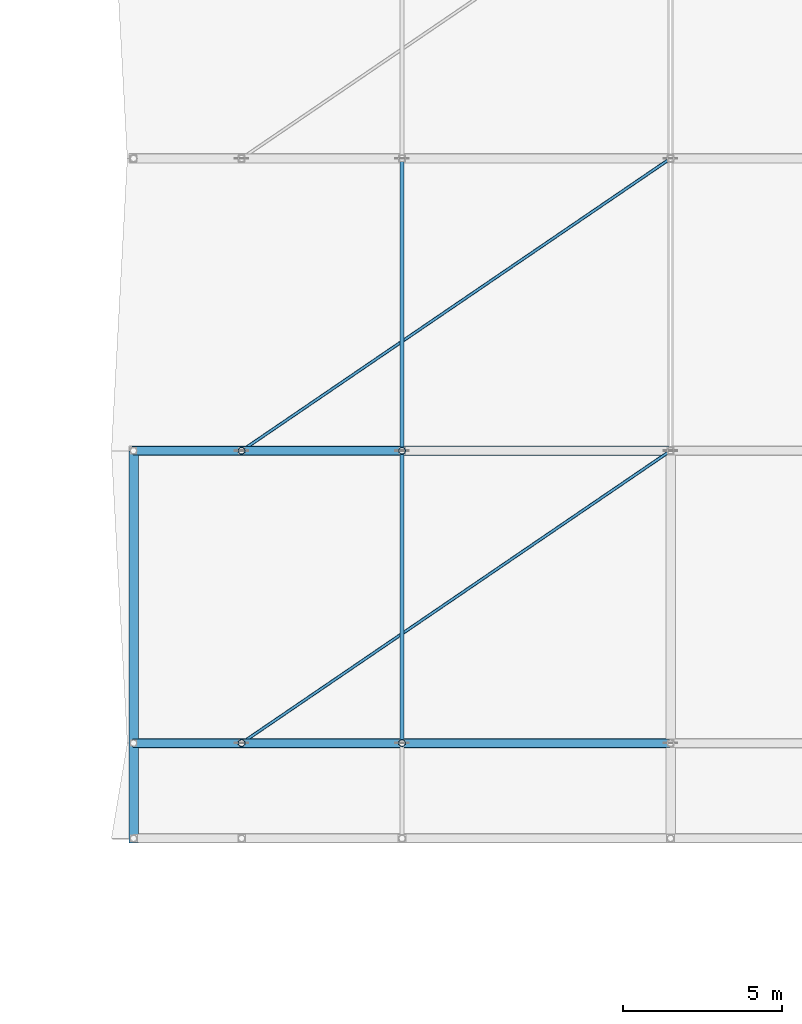
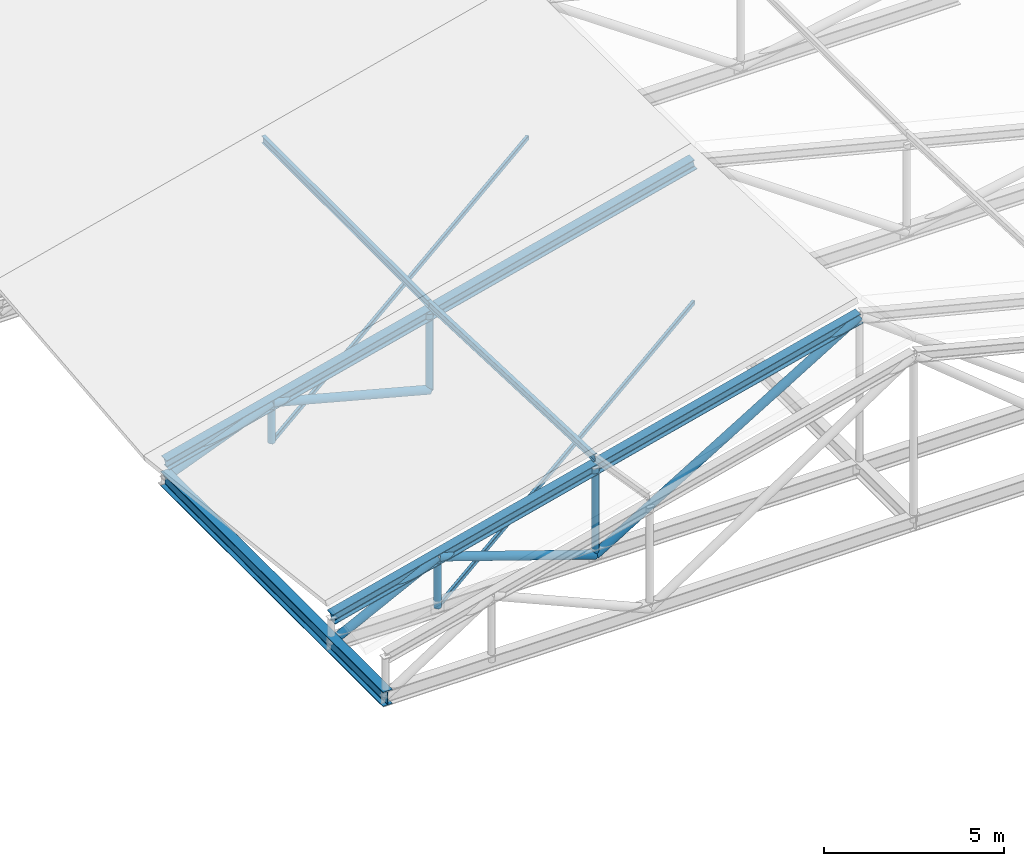
# One storey, part 28 of 56: 15 members, 1 beam.
"""IFC4 building model written with IfcOpenShell, lengths in metres."""

from ifc_helpers import new_model, si_unit, direction, frame, origin, origin_2d, place, context, subcontext, project, spatial, hollow_rectangle, hollow_circle, i_section, extrude, material, material_profile, profile_set, type_object, element, save


model = new_model("IFC4")

# Units and contexts
model_context = context("Model", 3, precision=1e-05, world=origin(), true_north=direction((0.0, 1.0)))
body_context = subcontext(model_context, "Body", "Model", "MODEL_VIEW")
ifc_project = project(units=[si_unit("LENGTHUNIT", "METRE"), si_unit("AREAUNIT", "SQUARE_METRE"), si_unit("VOLUMEUNIT", "CUBIC_METRE"), si_unit("PLANEANGLEUNIT", "RADIAN"), si_unit("MASSUNIT", "GRAM", prefix="KILO")], contexts=[model_context])

# Site, building, storey
site_placement = place(None, origin())
site = spatial("IfcSite", under=ifc_project, at=site_placement, CompositionType="ELEMENT")
building_placement = place(site_placement, origin())
building = spatial("IfcBuilding", under=site, at=building_placement, Name="Bozkorgan Art Gallery", CompositionType="ELEMENT")
storey_placement = place(building_placement, frame((0.0, 0.0, 24.0)))
storey = spatial("IfcBuildingStorey", under=building, at=storey_placement, Name="L05", CompositionType="ELEMENT", Elevation=24.0)

# Beam
ifc_material = material(Name="Steel S355J2", Category="steel")
ifc_material_profile_1 = material_profile(ifc_material, i_section(OverallWidth=0.300048828125, OverallDepth=0.5, WebThickness=0.014404296875, FlangeThickness=0.028076171875, FilletRadius=0.027099609375, at=origin_2d()), Name="HEB 500")
ifc_profile_set_1 = profile_set([ifc_material_profile_1], Name="Steel S355J2")
beam_type = type_object("IfcBeamType", Name="BEAM-TO-52", PredefinedType="BEAM", material=ifc_profile_set_1)
beam_placement = place(storey_placement, frame((133.60009765625, 62.860107421875, 0.25), z_axis=(0.0, 1.0, 0.0), x_axis=(-1.0, 0.0, 0.0)))
element("IfcBeam", 1, at=beam_placement, inside=storey, type_object=beam_type, Name="ROOF-V5-MAIN south overhang continuous truss chord 1", PredefinedType="BEAM", context=body_context, shape_type="SweptSolid", body=[
    extrude(i_section(OverallWidth=0.300048828125, OverallDepth=0.5, WebThickness=0.014404296875, FlangeThickness=0.028076171875, FilletRadius=0.027099609375, at=origin_2d()), origin(), (0.0, 0.0, 1.0), 12.33984375),
])

# Members
ifc_material_profile_2 = material_profile(ifc_material, i_section(OverallWidth=0.1201171875, OverallDepth=0.239990234375, WebThickness=0.006103515625, FlangeThickness=0.009765625, FilletRadius=0.014892578125, at=origin_2d()), Name="IPE 240")
ifc_profile_set_2 = profile_set([ifc_material_profile_2], Name="Steel S355J2")
member_type_1 = type_object("IfcMemberType", Name="MEMBER-PR-34", PredefinedType="PURLIN", material=ifc_profile_set_2)
member_1_placement = place(storey_placement, frame((142.050048828125, 66.0, 3.52294921875), z_axis=(0.0, 0.999222332113, -0.039430077432), x_axis=(-1.0, 0.0, 0.0)))
element("IfcMember", 2, at=member_1_placement, inside=storey, type_object=member_type_1, Name="ROOF-V5-MAIN roof purlin 2W", PredefinedType="PURLIN", context=body_context, shape_type="SweptSolid", body=[
    extrude(i_section(OverallWidth=0.1201171875, OverallDepth=0.239990234375, WebThickness=0.006103515625, FlangeThickness=0.009765625, FilletRadius=0.014892578125, at=origin_2d()), origin(), (0.0, 0.0, 1.0), 9.20703125),
])
member_2_placement = place(storey_placement, frame((142.050048828125, 75.199951171875, 3.159912109375), z_axis=(0.0, 1.0, 0.0), x_axis=(-1.0, 0.0, 0.0)))
element("IfcMember", 3, at=member_2_placement, inside=storey, type_object=member_type_1, Name="ROOF-V5-MAIN roof purlin 3W", PredefinedType="PURLIN", context=body_context, shape_type="SweptSolid", body=[
    extrude(i_section(OverallWidth=0.1201171875, OverallDepth=0.239990234375, WebThickness=0.006103515625, FlangeThickness=0.009765625, FilletRadius=0.014892578125, at=origin_2d()), origin(), (0.0, 0.0, 1.0), 9.199951171875),
])
ifc_material_profile_3 = material_profile(ifc_material, i_section(OverallWidth=0.300048828125, OverallDepth=0.35009765625, WebThickness=0.010009765625, FlangeThickness=0.017578125, FilletRadius=0.027099609375, at=origin_2d()), Name="HEA 360")
ifc_profile_set_3 = profile_set([ifc_material_profile_3], Name="Steel S355J2")
member_type_2 = type_object("IfcMemberType", Name="MEMBER-TC-31", PredefinedType="CHORD", material=ifc_profile_set_3)
for number, where, z_axis, x_axis, name in (
    (4, (133.60009765625, 66.0, 1.089599609375), (0.969441549002, 0.0, 0.245322406372), (0.0, 1.0, 0.0), "ROOF-V5-MAIN roof truss 2 west top chord"),
    (5, (133.60009765625, 75.199951171875, 0.726806640625), (0.969444879631, 0.0, 0.245309244339), (0.0, 1.0, 0.0), "ROOF-V5-MAIN roof truss 3 west top chord"),
):
    element("IfcMember", number, at=place(storey_placement, frame(where, z_axis=z_axis, x_axis=x_axis)), inside=storey, type_object=member_type_2, Name=name, PredefinedType="CHORD", context=body_context, shape_type="SweptSolid", body=[
        extrude(i_section(OverallWidth=0.300048828125, OverallDepth=0.35009765625, WebThickness=0.010009765625, FlangeThickness=0.017578125, FilletRadius=0.027099609375, at=origin_2d()), origin(), (0.0, 0.0, 1.0), 17.4326171875),
    ])
ifc_material_profile_4 = material_profile(ifc_material, hollow_circle(Radius=0.109619140625, WallThickness=0.010009765625, at=origin_2d()), Name="CHS 219.1x10")
ifc_profile_set_4 = profile_set([ifc_material_profile_4], Name="Steel S355J2")
member_type_3 = type_object("IfcMemberType", Name="MEMBER-TP-78", PredefinedType="POST", material=ifc_profile_set_4)
member_3_placement = place(storey_placement, frame((137.0, 66.0, 0.25), z_axis=(0.0, 0.0, 1.0), x_axis=(1.0, 0.0, 0.0)))
element("IfcMember", 6, at=member_3_placement, inside=storey, type_object=member_type_3, Name="ROOF-V5-MAIN roof truss 2 post 1", PredefinedType="POST", context=body_context, shape_type="SweptSolid", body=[
    extrude(hollow_circle(Radius=0.109619140625, WallThickness=0.010009765625, at=origin_2d()), origin(), (0.0, 0.0, 1.0), 1.7001953125),
])
member_4_placement = place(storey_placement, frame((142.050048828125, 66.0, 0.25), z_axis=(0.0, 0.0, 1.0), x_axis=(1.0, 0.0, 0.0)))
element("IfcMember", 7, at=member_4_placement, inside=storey, type_object=member_type_3, Name="ROOF-V5-MAIN roof truss 2 post 2", PredefinedType="POST", context=body_context, shape_type="SweptSolid", body=[
    extrude(hollow_circle(Radius=0.109619140625, WallThickness=0.010009765625, at=origin_2d()), origin(), (0.0, 0.0, 1.0), 2.977783203125),
])
member_5_placement = place(storey_placement, frame((137.0, 75.199951171875, 0.25), z_axis=(0.0, 0.0, 1.0), x_axis=(1.0, 0.0, 0.0)))
element("IfcMember", 8, at=member_5_placement, inside=storey, type_object=member_type_3, Name="ROOF-V5-MAIN roof truss 3 post 1", PredefinedType="POST", context=body_context, shape_type="SweptSolid", body=[
    extrude(hollow_circle(Radius=0.109619140625, WallThickness=0.010009765625, at=origin_2d()), origin(), (0.0, 0.0, 1.0), 1.337158203125),
])
member_6_placement = place(storey_placement, frame((142.050048828125, 75.199951171875, 0.25), z_axis=(0.0, 0.0, 1.0), x_axis=(1.0, 0.0, 0.0)))
element("IfcMember", 9, at=member_6_placement, inside=storey, type_object=member_type_3, Name="ROOF-V5-MAIN roof truss 3 post 2", PredefinedType="POST", context=body_context, shape_type="SweptSolid", body=[
    extrude(hollow_circle(Radius=0.109619140625, WallThickness=0.010009765625, at=origin_2d()), origin(), (0.0, 0.0, 1.0), 2.614990234375),
])
ifc_material_profile_5 = material_profile(ifc_material, hollow_circle(Radius=0.136474609375, WallThickness=0.012451171875, at=origin_2d()), Name="CHS 273x12.5")
ifc_profile_set_5 = profile_set([ifc_material_profile_5], Name="Steel S355J2")
member_type_4 = type_object("IfcMemberType", Name="MEMBER-TW-28", PredefinedType="BRACE", material=ifc_profile_set_5)
member_7_placement = place(storey_placement, frame((133.60009765625, 66.0, 0.25), z_axis=(0.894401499405, 0.0, 0.447264975), x_axis=(0.0, 1.0, 0.0)))
element("IfcMember", 10, at=member_7_placement, inside=storey, type_object=member_type_4, Name="ROOF-V5-MAIN roof truss 2 diagonal 1", PredefinedType="BRACE", context=body_context, shape_type="SweptSolid", body=[
    extrude(hollow_circle(Radius=0.136474609375, WallThickness=0.012451171875, at=origin_2d()), origin(), (0.0, 0.0, 1.0), 3.80126953125),
])
member_8_placement = place(storey_placement, frame((137.0, 66.0, 1.9501953125), z_axis=(0.947730613482, 0.0, -0.319071597403), x_axis=(0.0, 1.0, 0.0)))
element("IfcMember", 11, at=member_8_placement, inside=storey, type_object=member_type_4, Name="ROOF-V5-MAIN roof truss 2 diagonal 2", PredefinedType="BRACE", context=body_context, shape_type="SweptSolid", body=[
    extrude(hollow_circle(Radius=0.136474609375, WallThickness=0.012451171875, at=origin_2d()), origin(), (0.0, 0.0, 1.0), 5.32861328125),
])
member_9_placement = place(storey_placement, frame((142.050048828125, 66.0, 0.25), z_axis=(0.855420837276, 0.0, 0.517933577936), x_axis=(0.0, 1.0, 0.0)))
element("IfcMember", 12, at=member_9_placement, inside=storey, type_object=member_type_4, Name="ROOF-V5-MAIN roof truss 2 diagonal 3", PredefinedType="BRACE", context=body_context, shape_type="SweptSolid", body=[
    extrude(hollow_circle(Radius=0.136474609375, WallThickness=0.012451171875, at=origin_2d()), origin(), (0.0, 0.0, 1.0), 9.878173828125),
])
member_10_placement = place(storey_placement, frame((133.60009765625, 75.199951171875, 0.25), z_axis=(0.930613345443, 0.0, 0.36600382687), x_axis=(0.0, 1.0, 0.0)))
element("IfcMember", 13, at=member_10_placement, inside=storey, type_object=member_type_4, Name="ROOF-V5-MAIN roof truss 3 diagonal 1", PredefinedType="BRACE", context=body_context, shape_type="SweptSolid", body=[
    extrude(hollow_circle(Radius=0.136474609375, WallThickness=0.012451171875, at=origin_2d()), origin(), (0.0, 0.0, 1.0), 3.6533203125),
])
member_11_placement = place(storey_placement, frame((137.0, 75.199951171875, 1.587158203125), z_axis=(0.966687204454, 0.0, -0.255960639052), x_axis=(0.0, 1.0, 0.0)))
element("IfcMember", 14, at=member_11_placement, inside=storey, type_object=member_type_4, Name="ROOF-V5-MAIN roof truss 3 diagonal 2", PredefinedType="BRACE", context=body_context, shape_type="SweptSolid", body=[
    extrude(hollow_circle(Radius=0.136474609375, WallThickness=0.012451171875, at=origin_2d()), origin(), (0.0, 0.0, 1.0), 5.22412109375),
])
ifc_material_profile_6 = material_profile(ifc_material, hollow_rectangle(XDim=0.10009765625, YDim=0.14990234375, WallThickness=0.008056640625, InnerFilletRadius=0.011962890625, OuterFilletRadius=0.02001953125, at=origin_2d()), Name="RHS 150x100x8")
ifc_profile_set_6 = profile_set([ifc_material_profile_6], Name="Steel S355J2")
member_type_5 = type_object("IfcMemberType", Name="MEMBER-WB-10", PredefinedType="BRACE", material=ifc_profile_set_6)
for number, where, z_axis, x_axis, name in (
    (15, (137.0, 66.0, 0.25), (0.826358214582, 0.563144831454, 0.0), (-0.563144831454, 0.826358214582, 0.0), "ROOF-V5-MAIN roof diaphragm wind brace 1"),
    (16, (137.0, 75.199951171875, 0.25), (0.826358214582, 0.563144831454, 0.0), (-0.563144831454, 0.826358214582, 0.0), "ROOF-V5-MAIN roof diaphragm wind brace 2"),
):
    element("IfcMember", number, at=place(storey_placement, frame(where, z_axis=z_axis, x_axis=x_axis)), inside=storey, type_object=member_type_5, Name=name, PredefinedType="BRACE", context=body_context, shape_type="SweptSolid", body=[
        extrude(hollow_rectangle(XDim=0.10009765625, YDim=0.14990234375, WallThickness=0.008056640625, InnerFilletRadius=0.011962890625, OuterFilletRadius=0.02001953125, at=origin_2d()), origin(), (0.0, 0.0, 1.0), 16.336669921875),
    ])

save(model, "model.ifc")
